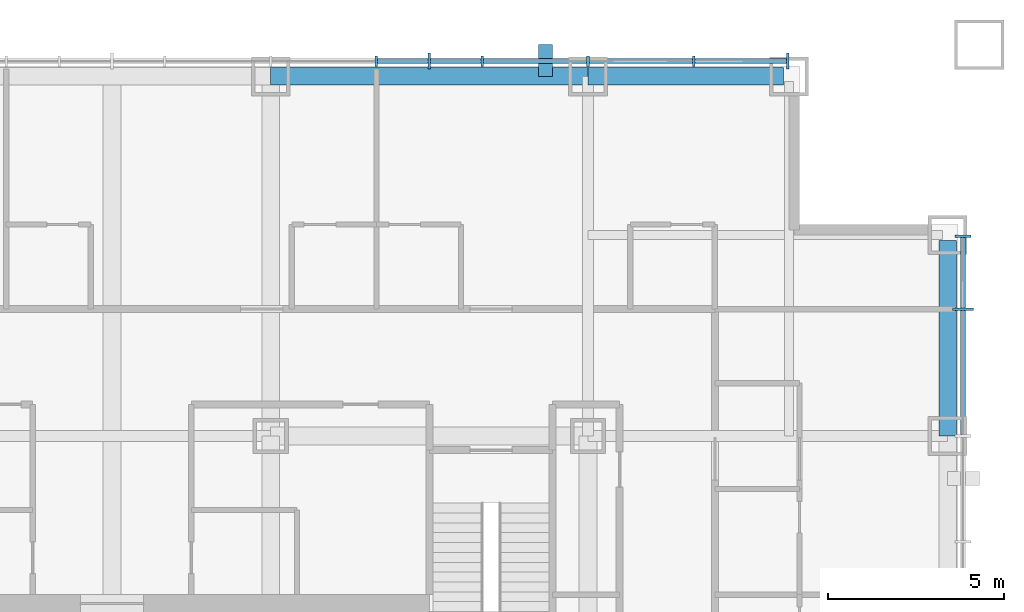
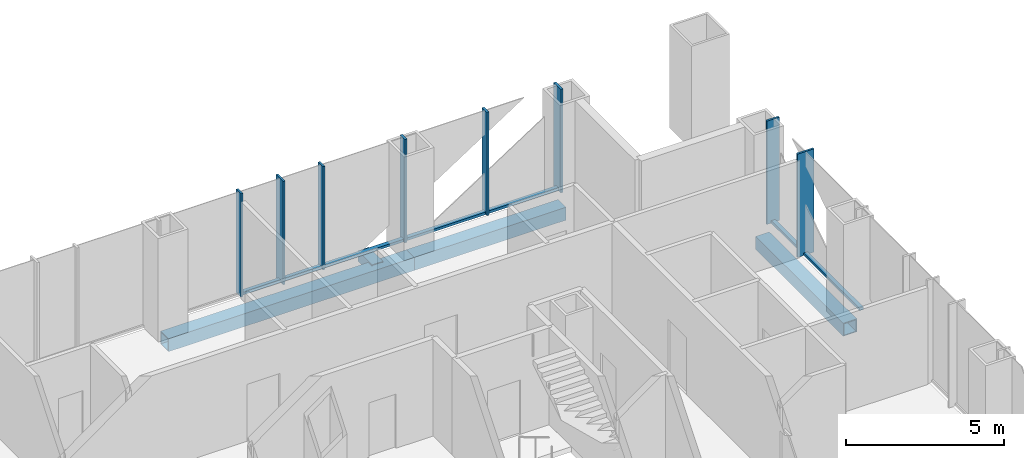
# One storey, part 6 of 14: 16 members, 3 beams, 2 elements without a shape of their own.
"""IFC4 building model written with IfcOpenShell, lengths in metres."""

import ifcopenshell
import ifcopenshell.guid

model = None  # the IFC model being written
_history = None  # IfcOwnerHistory: only IFC2X3 demands one
_inside = {}  # id of a spatial element -> (the spatial element, [elements in it])
_under = {}  # id of a project, library or spatial element -> (it, [spatial elements below it])
_declared = {}  # id of a project -> (the project, [libraries it declares])
_typed = {}  # id of a type object -> (the type object, [elements of that type])
_made_of = {}  # id of a material, layer set ... -> (it, [elements and type objects made of it])


def new_model(schema):
    """Start an empty IFC model of exactly this schema.

    Asked for "IFC4X3", IfcOpenShell would pick the latest addendum, in which some entities
    have other attributes; the version numbers below select the first issue.
    IFC2X3 requires an IfcOwnerHistory on every rooted entity: one is made here for all.
    """
    global model, _history
    if schema == "IFC4X3":
        model = ifcopenshell.file(schema_version=(4, 3, 0, 0))
    else:
        model = ifcopenshell.file(schema=schema)
    _inside.clear()
    _under.clear()
    _declared.clear()
    _typed.clear()
    _made_of.clear()
    _history = None
    if model.schema == "IFC2X3":
        org = make("IfcOrganization", Name="unknown")
        user = make(
            "IfcPersonAndOrganization",
            ThePerson=make("IfcPerson", FamilyName="unknown"),
            TheOrganization=org,
        )
        app = make(
            "IfcApplication",
            ApplicationDeveloper=org,
            Version="unknown",
            ApplicationFullName="unknown",
            ApplicationIdentifier="unknown",
        )
        _history = make(
            "IfcOwnerHistory",
            OwningUser=user,
            OwningApplication=app,
            ChangeAction="ADDED",
            CreationDate=0,
        )
    return model


def make(cls, **values):
    """One entity of the class cls with the attributes given. An attribute that is None is left unset."""
    return model.create_entity(
        cls, **{name: value for name, value in values.items() if value is not None}
    )


def rooted(cls, **values):
    """An entity with a GlobalId (a new one), such as an element, a storey or a relation."""
    return make(cls, GlobalId=ifcopenshell.guid.new(), OwnerHistory=_history, **values)


def si_unit(unit_type, name, prefix=None):
    """IfcSIUnit, for example si_unit("LENGTHUNIT", "METRE", prefix="MILLI")."""
    return make("IfcSIUnit", UnitType=unit_type, Prefix=prefix, Name=name)


def assignment(units):
    """IfcUnitAssignment: the units of a project."""
    return None if units is None else make("IfcUnitAssignment", Units=units)


def point(xyz):
    """IfcCartesianPoint."""
    return None if xyz is None else make("IfcCartesianPoint", Coordinates=xyz)


def direction(xyz):
    """IfcDirection."""
    return None if xyz is None else make("IfcDirection", DirectionRatios=xyz)


def frame(location, z_axis=None, x_axis=None):
    """IfcAxis2Placement3D, a coordinate frame: its origin and axes. An axis left out is left unset."""
    return make(
        "IfcAxis2Placement3D",
        Location=point(location),
        Axis=direction(z_axis),
        RefDirection=direction(x_axis),
    )


def frame_2d(location, x_axis=None):
    """IfcAxis2Placement2D, a coordinate frame in the plane: its origin and x axis."""
    return make(
        "IfcAxis2Placement2D", Location=point(location), RefDirection=direction(x_axis)
    )


def origin():
    """The frame at (0, 0, 0) with its axes left unset."""
    return frame((0.0, 0.0, 0.0))


def origin_2d():
    """The frame at (0, 0) in the plane with its x axis left unset."""
    return frame_2d((0.0, 0.0))


def place(relative_to, where):
    """IfcLocalPlacement: puts the frame where relative to a parent placement (None: the world)."""
    return make(
        "IfcLocalPlacement", PlacementRelTo=relative_to, RelativePlacement=where
    )


def context(
    kind, dimensions, precision=None, world=None, true_north=None, identifier=None
):
    """IfcGeometricRepresentationContext, for example the 3D "Model" context."""
    return make(
        "IfcGeometricRepresentationContext",
        ContextIdentifier=identifier,
        ContextType=kind,
        CoordinateSpaceDimension=dimensions,
        Precision=precision,
        WorldCoordinateSystem=world,
        TrueNorth=true_north,
    )


def subcontext(parent, identifier, kind, view, scale=None):
    """IfcGeometricRepresentationSubContext, for example "Body" below "Model"."""
    return make(
        "IfcGeometricRepresentationSubContext",
        ContextIdentifier=identifier,
        ContextType=kind,
        ParentContext=parent,
        TargetScale=scale,
        TargetView=view,
    )


def project(units=None, contexts=None):
    """IfcProject with its units and contexts."""
    return rooted(
        "IfcProject",
        Name="project",
        RepresentationContexts=contexts,
        UnitsInContext=assignment(units),
    )


def spatial(cls, under=None, at=None, **own):
    """A site, building, storey or space (cls), placed at a placement, below another one or the project."""
    s = rooted(cls, ObjectPlacement=at, **own)
    if under is not None:
        _under.setdefault(under.id(), (under, []))[1].append(s)
    return s


def profile(cls, at=None, kind="AREA", **sizes):
    """A parametric profile (cls). Its sizes go by their IFC names, for example OverallWidth=200.0."""
    return make(cls, ProfileType=kind, Position=at, **sizes)


def rectangle(**sizes):
    """IfcRectangleProfileDef."""
    return profile("IfcRectangleProfileDef", **sizes)


def hollow_rectangle(**sizes):
    """IfcRectangleHollowProfileDef."""
    return profile("IfcRectangleHollowProfileDef", **sizes)


def extrude(swept, where, along, depth):
    """IfcExtrudedAreaSolid: the profile swept, set in the frame where, extruded along a direction by depth."""
    return make(
        "IfcExtrudedAreaSolid",
        SweptArea=swept,
        Position=where,
        ExtrudedDirection=direction(along),
        Depth=depth,
    )


def shape(context_of_items, identifier, shape_type, items):
    """IfcShapeRepresentation: the items that make up one representation, for example the "Body"."""
    return make(
        "IfcShapeRepresentation",
        ContextOfItems=context_of_items,
        RepresentationIdentifier=identifier,
        RepresentationType=shape_type,
        Items=items,
    )


def material(Name=None, Category=None):
    """IfcMaterial."""
    return make("IfcMaterial", Name=Name, Category=Category)


def layer(
    of_material, thickness, ventilated=None, Name=None, Category=None, Priority=None
):
    """IfcMaterialLayer: one layer of a wall or slab, of a material (None: an air gap)."""
    return make(
        "IfcMaterialLayer",
        Material=of_material,
        LayerThickness=thickness,
        IsVentilated=ventilated,
        Name=Name,
        Category=Category,
        Priority=Priority,
    )


def layer_set(layers, Name=None):
    """IfcMaterialLayerSet."""
    return make("IfcMaterialLayerSet", MaterialLayers=layers, LayerSetName=Name)


def material_profile(
    of_material, cross_section, Name=None, Category=None, Priority=None
):
    """IfcMaterialProfile: a cross section and its material."""
    return make(
        "IfcMaterialProfile",
        Name=Name,
        Material=of_material,
        Profile=cross_section,
        Priority=Priority,
        Category=Category,
    )


def profile_set(profiles, Name=None, composite=None):
    """IfcMaterialProfileSet."""
    return make(
        "IfcMaterialProfileSet",
        Name=Name,
        MaterialProfiles=profiles,
        CompositeProfile=composite,
    )


def made_of(thing, what):
    """Note that an element or type object is made of a material, layer set ...; save() writes the relation."""
    if what is not None:
        _made_of.setdefault(what.id(), (what, []))[1].append(thing)
    return thing


def type_object(cls, material=None, **own):
    """A type object (cls), such as IfcWallType, which elements share."""
    return made_of(rooted(cls, **own), material)


def element(
    cls,
    number,
    at=None,
    inside=None,
    cuts=None,
    type_object=None,
    material=None,
    context=None,
    identifier="Body",
    shape_type=None,
    held_by="IfcProductDefinitionShape",
    body=None,
    shapes=None,
    **own,
):
    """One element of the class cls, such as IfcWall. Its Tag is "e" and its number.

    at: its placement. inside: the storey or other place that contains it. cuts: it is an
    opening in that element (IfcRelVoidsElement). A single representation is given by context,
    identifier, shape_type and body (its items); several are given by shapes. held_by: the class
    of the entity that holds the representations. save() writes the other relations.
    """
    e = rooted(cls, Tag="e%d" % number, ObjectPlacement=at, **own)
    if body is not None:
        shapes = [shape(context, identifier, shape_type, body)]
    if shapes is not None:
        e.Representation = make(held_by, Representations=shapes)
    if inside is not None:
        _inside.setdefault(inside.id(), (inside, []))[1].append(e)
    if cuts is not None:
        rooted(
            "IfcRelVoidsElement", RelatingBuildingElement=cuts, RelatedOpeningElement=e
        )
    if type_object is not None:
        _typed.setdefault(type_object.id(), (type_object, []))[1].append(e)
    return made_of(e, material)


def aggregate(whole, parts):
    """IfcRelAggregates: a whole, such as a stair, and the parts it consists of."""
    return rooted("IfcRelAggregates", RelatingObject=whole, RelatedObjects=parts)


def save(model, path):
    """Write the relations noted so far, then the file.

    IfcRelAggregates (storeys below a building ...), IfcRelContainedInSpatialStructure (elements
    in a storey), IfcRelDefinesByType, IfcRelAssociatesMaterial and IfcRelDeclares: one each for
    every whole, place, type object, material and project.
    """
    for whole, parts in _under.values():
        aggregate(whole, parts)
    for where, things in _inside.values():
        rooted(
            "IfcRelContainedInSpatialStructure",
            RelatedElements=things,
            RelatingStructure=where,
        )
    for kind, things in _typed.values():
        rooted("IfcRelDefinesByType", RelatedObjects=things, RelatingType=kind)
    for what, things in _made_of.values():
        rooted("IfcRelAssociatesMaterial", RelatedObjects=things, RelatingMaterial=what)
    for by, libraries in _declared.values():
        rooted("IfcRelDeclares", RelatingContext=by, RelatedDefinitions=libraries)
    model.write(path)


model = new_model("IFC4")

# Units and contexts
model_context = context("Model", 3, precision=1e-05, world=origin(), true_north=direction((0.0, 1.0)))
body_context = subcontext(model_context, "Body", "Model", "MODEL_VIEW")
ifc_project = project(units=[si_unit("LENGTHUNIT", "METRE"), si_unit("AREAUNIT", "SQUARE_METRE"), si_unit("VOLUMEUNIT", "CUBIC_METRE"), si_unit("PLANEANGLEUNIT", "RADIAN"), si_unit("MASSUNIT", "GRAM", prefix="KILO")], contexts=[model_context])

# Site, building, storey
site_placement = place(None, origin())
site = spatial("IfcSite", under=ifc_project, at=site_placement, CompositionType="ELEMENT")
building_placement = place(site_placement, origin())
building = spatial("IfcBuilding", under=site, at=building_placement, Name="Malebo Sky Hospital", CompositionType="ELEMENT")
storey_placement = place(building_placement, frame((0.0, 0.0, 164.0)))
storey = spatial("IfcBuildingStorey", under=building, at=storey_placement, Name="L39", CompositionType="ELEMENT", Elevation=164.0)

# Curtain wall, members
ifc_material_1 = material(Name="Anodised aluminium, natural silver", Category="aluminium")
ifc_layer_1 = layer(ifc_material_1, 0.25)
ifc_layer_set_1 = layer_set([ifc_layer_1], Name="WARD CURTAIN WALL NORTH AND SOUTH")
curtain_wall_type_1 = type_object("IfcCurtainWallType", Name="WARD CURTAIN WALL NORTH AND SOUTH", PredefinedType="NOTDEFINED", material=ifc_layer_set_1)
curtain_wall_1_placement = place(storey_placement, origin())
curtain_wall_1 = element("IfcCurtainWall", 1, at=curtain_wall_1_placement, inside=storey, type_object=curtain_wall_type_1, Name="NS curtain wall N", PredefinedType="NOTDEFINED")
ifc_material_profile_1 = material_profile(ifc_material_1, rectangle(XDim=0.14990234375, YDim=0.10009765625, at=origin_2d()), Name="ALUMINIUM TRANSOM 150x100")
ifc_profile_set_1 = profile_set([ifc_material_profile_1], Name="Anodised aluminium, natural silver")
member_type_1 = type_object("IfcMemberType", Name="ALUMINIUM TRANSOM 150x100", PredefinedType="USERDEFINED", material=ifc_profile_set_1)
member_1_placement = place(storey_placement, frame((67.53759765625, 86.135009765625, 0.050048828125), z_axis=(1.0, 0.0, 0.0), x_axis=(0.0, 1.0, 0.0)))
member_1 = element("IfcMember", 2, at=member_1_placement, type_object=member_type_1, Name="Transom 13", ObjectType="TRANSOM", PredefinedType="USERDEFINED", context=body_context, shape_type="SweptSolid", body=[
    extrude(rectangle(XDim=0.14990234375, YDim=0.10009765625, at=origin_2d()), origin(), (0.0, 0.0, 1.0), 1.4248046875),
])
member_2_placement = place(storey_placement, frame((69.03759765625, 86.135009765625, 0.050048828125), z_axis=(1.0, 0.0, 0.0), x_axis=(0.0, 1.0, 0.0)))
member_2 = element("IfcMember", 3, at=member_2_placement, type_object=member_type_1, Name="Transom 14", ObjectType="TRANSOM", PredefinedType="USERDEFINED", context=body_context, shape_type="SweptSolid", body=[
    extrude(rectangle(XDim=0.14990234375, YDim=0.10009765625, at=origin_2d()), origin(), (0.0, 0.0, 1.0), 1.4248046875),
])
member_3_placement = place(storey_placement, frame((70.53759765625, 86.135009765625, 0.050048828125), z_axis=(1.0, 0.0, 0.0), x_axis=(0.0, 1.0, 0.0)))
member_3 = element("IfcMember", 4, at=member_3_placement, type_object=member_type_1, Name="Transom 15", ObjectType="TRANSOM", PredefinedType="USERDEFINED", context=body_context, shape_type="SweptSolid", body=[
    extrude(rectangle(XDim=0.14990234375, YDim=0.10009765625, at=origin_2d()), origin(), (0.0, 0.0, 1.0), 2.9248046875),
])
member_4_placement = place(storey_placement, frame((73.53759765625, 86.135009765625, 0.050048828125), z_axis=(1.0, 0.0, 0.0), x_axis=(0.0, 1.0, 0.0)))
member_4 = element("IfcMember", 5, at=member_4_placement, type_object=member_type_1, Name="Transom 16", ObjectType="TRANSOM", PredefinedType="USERDEFINED", context=body_context, shape_type="SweptSolid", body=[
    extrude(rectangle(XDim=0.14990234375, YDim=0.10009765625, at=origin_2d()), origin(), (0.0, 0.0, 1.0), 2.9248046875),
])
member_5_placement = place(storey_placement, frame((76.53759765625, 86.135009765625, 0.050048828125), z_axis=(1.0, 0.0, 0.0), x_axis=(0.0, 1.0, 0.0)))
member_5 = element("IfcMember", 6, at=member_5_placement, type_object=member_type_1, Name="Transom 17", ObjectType="TRANSOM", PredefinedType="USERDEFINED", context=body_context, shape_type="SweptSolid", body=[
    extrude(rectangle(XDim=0.14990234375, YDim=0.10009765625, at=origin_2d()), origin(), (0.0, 0.0, 1.0), 2.58740234375),
])

ifc_layer_2 = layer(ifc_material_1, 0.25)
ifc_layer_set_2 = layer_set([ifc_layer_2], Name="WARD CURTAIN WALL EAST AND WEST")
curtain_wall_type_2 = type_object("IfcCurtainWallType", Name="WARD CURTAIN WALL EAST AND WEST", PredefinedType="NOTDEFINED", material=ifc_layer_set_2)
curtain_wall_2_placement = place(storey_placement, origin())
curtain_wall_2 = element("IfcCurtainWall", 7, at=curtain_wall_2_placement, inside=storey, type_object=curtain_wall_type_2, Name="EW curtain wall E", PredefinedType="NOTDEFINED")
member_6_placement = place(storey_placement, frame((84.135009765625, 81.125, 0.050048828125), z_axis=(0.0, -1.0, 0.0), x_axis=(1.0, 0.0, 0.0)))
member_6 = element("IfcMember", 8, at=member_6_placement, type_object=member_type_1, Name="Transom 1", ObjectType="TRANSOM", PredefinedType="USERDEFINED", context=body_context, shape_type="SweptSolid", body=[
    extrude(rectangle(XDim=0.14990234375, YDim=0.10009765625, at=origin_2d()), origin(), (0.0, 0.0, 1.0), 1.987548828125),
])
member_7_placement = place(storey_placement, frame((84.135009765625, 79.0625, 0.050048828125), z_axis=(0.0, -1.0, 0.0), x_axis=(1.0, 0.0, 0.0)))
member_7 = element("IfcMember", 9, at=member_7_placement, type_object=member_type_1, Name="Transom 2", ObjectType="TRANSOM", PredefinedType="USERDEFINED", context=body_context, shape_type="SweptSolid", body=[
    extrude(rectangle(XDim=0.14990234375, YDim=0.10009765625, at=origin_2d()), origin(), (0.0, 0.0, 1.0), 3.52490234375),
])

# Member
ifc_material_2 = material(Name="Steel S355", Category="steel")
ifc_material_profile_2 = material_profile(ifc_material_2, hollow_rectangle(XDim=0.39990234375, YDim=0.39990234375, WallThickness=0.02001953125, at=origin_2d()), Name="SHS 400x20")
ifc_profile_set_2 = profile_set([ifc_material_profile_2], Name="Steel S355")
member_type_2 = type_object("IfcMemberType", Name="BRACE STRUT SHS 400x20", PredefinedType="STRUT", material=ifc_profile_set_2)
member_8_placement = place(storey_placement, frame((72.300048828125, 86.60009765625, -0.39990234375), z_axis=(0.0, -1.0, 0.0), x_axis=(1.0, 0.0, 0.0)))
element("IfcMember", 10, at=member_8_placement, inside=storey, type_object=member_type_2, Name="Brace strut BN2 L39", PredefinedType="STRUT", context=body_context, shape_type="SweptSolid", body=[
    extrude(hollow_rectangle(XDim=0.39990234375, YDim=0.39990234375, WallThickness=0.02001953125, at=origin_2d()), origin(), (0.0, 0.0, 1.0), 0.900146484375),
])

ifc_material_profile_3 = material_profile(ifc_material_1, rectangle(XDim=0.074951171875, YDim=0.300048828125, at=origin_2d()), Name="CW1 ALUMINIUM FIN MULLION 75x300")
ifc_profile_set_3 = profile_set([ifc_material_profile_3], Name="Anodised aluminium, natural silver")
member_type_3 = type_object("IfcMemberType", Name="CW1 ALUMINIUM FIN MULLION 75x300", PredefinedType="MULLION", material=ifc_profile_set_3)
member_9_placement = place(storey_placement, frame((67.5, 86.135009765625, 0.0), z_axis=(0.0, 0.0, 1.0), x_axis=(1.0, 0.0, 0.0)))
member_9 = element("IfcMember", 11, at=member_9_placement, type_object=member_type_3, Name="Fin mullion 13", PredefinedType="MULLION", context=body_context, shape_type="SweptSolid", body=[
    extrude(rectangle(XDim=0.074951171875, YDim=0.300048828125, at=origin_2d()), origin(), (0.0, 0.0, 1.0), 4.0),
])

member_10_placement = place(storey_placement, frame((70.5, 86.135009765625, 0.0), z_axis=(0.0, 0.0, 1.0), x_axis=(1.0, 0.0, 0.0)))
member_10 = element("IfcMember", 12, at=member_10_placement, type_object=member_type_3, Name="Fin mullion 15", PredefinedType="MULLION", context=body_context, shape_type="SweptSolid", body=[
    extrude(rectangle(XDim=0.074951171875, YDim=0.300048828125, at=origin_2d()), origin(), (0.0, 0.0, 1.0), 4.0),
])

member_11_placement = place(storey_placement, frame((73.5, 86.135009765625, 0.0), z_axis=(0.0, 0.0, 1.0), x_axis=(1.0, 0.0, 0.0)))
member_11 = element("IfcMember", 13, at=member_11_placement, type_object=member_type_3, Name="Fin mullion 16", PredefinedType="MULLION", context=body_context, shape_type="SweptSolid", body=[
    extrude(rectangle(XDim=0.074951171875, YDim=0.300048828125, at=origin_2d()), origin(), (0.0, 0.0, 1.0), 4.0),
])

member_12_placement = place(storey_placement, frame((76.5, 86.135009765625, 0.0), z_axis=(0.0, 0.0, 1.0), x_axis=(1.0, 0.0, 0.0)))
member_12 = element("IfcMember", 14, at=member_12_placement, type_object=member_type_3, Name="Fin mullion 17", PredefinedType="MULLION", context=body_context, shape_type="SweptSolid", body=[
    extrude(rectangle(XDim=0.074951171875, YDim=0.300048828125, at=origin_2d()), origin(), (0.0, 0.0, 1.0), 4.0),
])

ifc_material_profile_4 = material_profile(ifc_material_1, rectangle(XDim=0.074951171875, YDim=0.449951171875, at=origin_2d()), Name="CW1 ALUMINIUM FIN MULLION 75x450")
ifc_profile_set_4 = profile_set([ifc_material_profile_4], Name="Anodised aluminium, natural silver")
member_type_4 = type_object("IfcMemberType", Name="CW1 ALUMINIUM FIN MULLION 75x450", PredefinedType="MULLION", material=ifc_profile_set_4)
member_13_placement = place(storey_placement, frame((69.0, 86.135009765625, 0.0), z_axis=(0.0, 0.0, 1.0), x_axis=(1.0, 0.0, 0.0)))
member_13 = element("IfcMember", 15, at=member_13_placement, type_object=member_type_4, Name="Fin mullion 14", PredefinedType="MULLION", context=body_context, shape_type="SweptSolid", body=[
    extrude(rectangle(XDim=0.074951171875, YDim=0.449951171875, at=origin_2d()), origin(), (0.0, 0.0, 1.0), 4.0),
])

member_14_placement = place(storey_placement, frame((79.16259765625, 86.135009765625, 0.0), z_axis=(0.0, 0.0, 1.0), x_axis=(1.0, 0.0, 0.0)))
member_14 = element("IfcMember", 16, at=member_14_placement, type_object=member_type_4, Name="Fin mullion 18", PredefinedType="MULLION", context=body_context, shape_type="SweptSolid", body=[
    extrude(rectangle(XDim=0.074951171875, YDim=0.449951171875, at=origin_2d()), origin(), (0.0, 0.0, 1.0), 4.0),
])

aggregate(curtain_wall_1, [member_9, member_13, member_10, member_11, member_12, member_14, member_1, member_2, member_3, member_4, member_5])

ifc_material_profile_5 = material_profile(ifc_material_1, rectangle(XDim=0.074951171875, YDim=0.449951171875, at=origin_2d()), Name="CW2 ALUMINIUM FIN MULLION 75x450")
ifc_profile_set_5 = profile_set([ifc_material_profile_5], Name="Anodised aluminium, natural silver")
member_type_5 = type_object("IfcMemberType", Name="CW2 ALUMINIUM FIN MULLION 75x450", PredefinedType="MULLION", material=ifc_profile_set_5)
member_15_placement = place(storey_placement, frame((84.135009765625, 81.16259765625, 0.0), z_axis=(0.0, 0.0, 1.0), x_axis=(0.0, -1.0, 0.0)))
member_15 = element("IfcMember", 17, at=member_15_placement, type_object=member_type_5, Name="Fin mullion 1", PredefinedType="MULLION", context=body_context, shape_type="SweptSolid", body=[
    extrude(rectangle(XDim=0.074951171875, YDim=0.449951171875, at=origin_2d()), origin(), (0.0, 0.0, 1.0), 4.0),
])

ifc_material_profile_6 = material_profile(ifc_material_1, rectangle(XDim=0.074951171875, YDim=0.60009765625, at=origin_2d()), Name="CW2 ALUMINIUM FIN MULLION 75x600")
ifc_profile_set_6 = profile_set([ifc_material_profile_6], Name="Anodised aluminium, natural silver")
member_type_6 = type_object("IfcMemberType", Name="CW2 ALUMINIUM FIN MULLION 75x600", PredefinedType="MULLION", material=ifc_profile_set_6)
member_16_placement = place(storey_placement, frame((84.135009765625, 79.10009765625, 0.0), z_axis=(0.0, 0.0, 1.0), x_axis=(0.0, -1.0, 0.0)))
member_16 = element("IfcMember", 18, at=member_16_placement, type_object=member_type_6, Name="Fin mullion 2", PredefinedType="MULLION", context=body_context, shape_type="SweptSolid", body=[
    extrude(rectangle(XDim=0.074951171875, YDim=0.60009765625, at=origin_2d()), origin(), (0.0, 0.0, 1.0), 4.0),
])

aggregate(curtain_wall_2, [member_15, member_16, member_6, member_7])

# Beams
ifc_material_3 = material(Name="Steel S460", Category="steel")
ifc_material_profile_7 = material_profile(ifc_material_3, hollow_rectangle(XDim=0.5, YDim=0.5, WallThickness=0.030029296875, at=origin_2d()), Name="BOX 500x500x30")
ifc_profile_set_7 = profile_set([ifc_material_profile_7], Name="Steel S460")
beam_type = type_object("IfcBeamType", Name="EDGE BEAM BOX 500x500x30", PredefinedType="BEAM", material=ifc_profile_set_7)
beam_1_placement = place(storey_placement, frame((83.699951171875, 75.5, -0.5), z_axis=(0.0, 1.0, 0.0), x_axis=(-1.0, 0.0, 0.0)))
element("IfcBeam", 19, at=beam_1_placement, inside=storey, type_object=beam_type, Name="Beam 033 L39", PredefinedType="BEAM", context=body_context, shape_type="SweptSolid", body=[
    extrude(hollow_rectangle(XDim=0.5, YDim=0.5, WallThickness=0.030029296875, at=origin_2d()), origin(), (0.0, 0.0, 1.0), 5.550048828125),
])
beam_2_placement = place(storey_placement, frame((64.5, 85.699951171875, -0.5), z_axis=(1.0, 0.0, 0.0), x_axis=(0.0, 1.0, 0.0)))
element("IfcBeam", 20, at=beam_2_placement, inside=storey, type_object=beam_type, Name="Beam 066 L39", PredefinedType="BEAM", context=body_context, shape_type="SweptSolid", body=[
    extrude(hollow_rectangle(XDim=0.5, YDim=0.5, WallThickness=0.030029296875, at=origin_2d()), origin(), (0.0, 0.0, 1.0), 9.0),
])
beam_3_placement = place(storey_placement, frame((73.5, 85.699951171875, -0.5), z_axis=(1.0, 0.0, 0.0), x_axis=(0.0, 1.0, 0.0)))
element("IfcBeam", 21, at=beam_3_placement, inside=storey, type_object=beam_type, Name="Beam 067 L39", PredefinedType="BEAM", context=body_context, shape_type="SweptSolid", body=[
    extrude(hollow_rectangle(XDim=0.5, YDim=0.5, WallThickness=0.030029296875, at=origin_2d()), origin(), (0.0, 0.0, 1.0), 5.550048828125),
])

save(model, "model.ifc")
